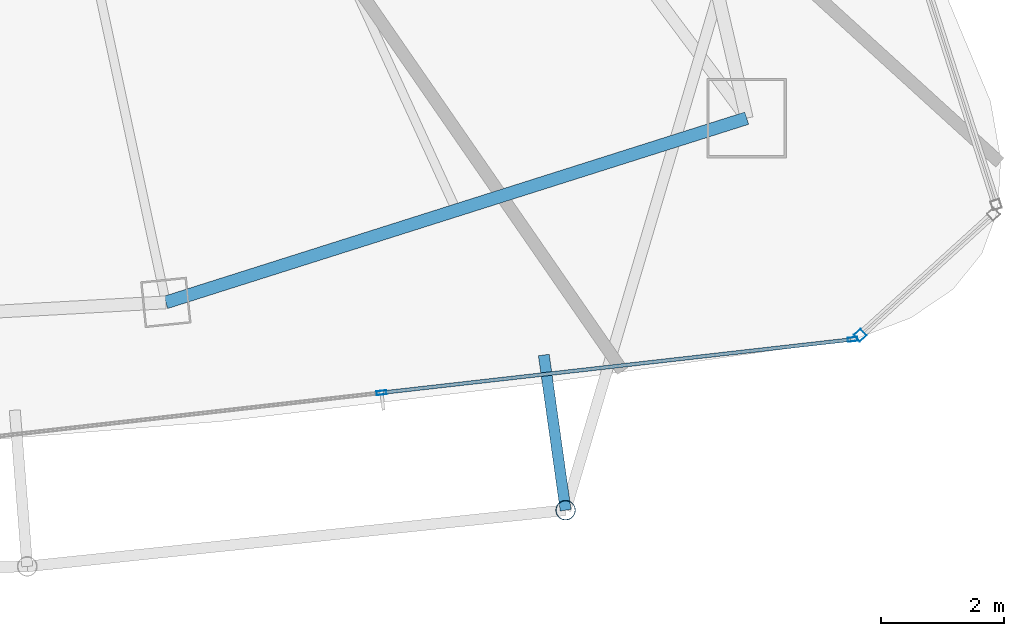
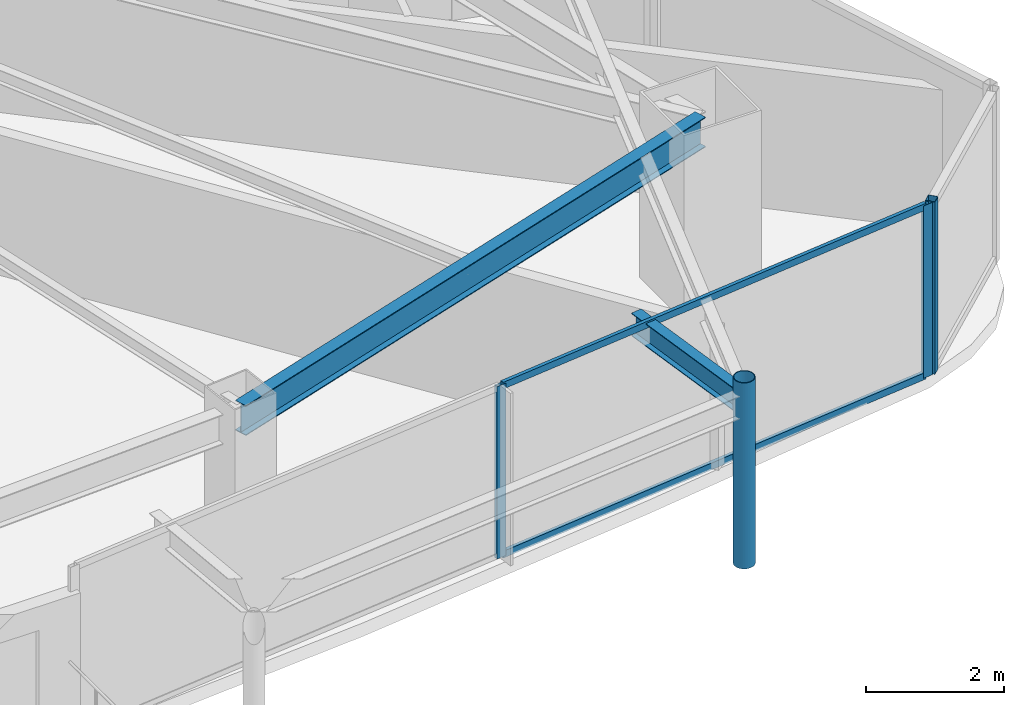
# One storey, part 14 of 30: 6 members, 2 beams, 2 elements without a shape of their own.
"""IFC4 building model written with IfcOpenShell, lengths in metres."""

import ifcopenshell
import ifcopenshell.guid

model = None  # the IFC model being written
_history = None  # IfcOwnerHistory: only IFC2X3 demands one
_inside = {}  # id of a spatial element -> (the spatial element, [elements in it])
_under = {}  # id of a project, library or spatial element -> (it, [spatial elements below it])
_declared = {}  # id of a project -> (the project, [libraries it declares])
_typed = {}  # id of a type object -> (the type object, [elements of that type])
_made_of = {}  # id of a material, layer set ... -> (it, [elements and type objects made of it])


def new_model(schema):
    """Start an empty IFC model of exactly this schema.

    Asked for "IFC4X3", IfcOpenShell would pick the latest addendum, in which some entities
    have other attributes; the version numbers below select the first issue.
    IFC2X3 requires an IfcOwnerHistory on every rooted entity: one is made here for all.
    """
    global model, _history
    if schema == "IFC4X3":
        model = ifcopenshell.file(schema_version=(4, 3, 0, 0))
    else:
        model = ifcopenshell.file(schema=schema)
    _inside.clear()
    _under.clear()
    _declared.clear()
    _typed.clear()
    _made_of.clear()
    _history = None
    if model.schema == "IFC2X3":
        org = make("IfcOrganization", Name="unknown")
        user = make(
            "IfcPersonAndOrganization",
            ThePerson=make("IfcPerson", FamilyName="unknown"),
            TheOrganization=org,
        )
        app = make(
            "IfcApplication",
            ApplicationDeveloper=org,
            Version="unknown",
            ApplicationFullName="unknown",
            ApplicationIdentifier="unknown",
        )
        _history = make(
            "IfcOwnerHistory",
            OwningUser=user,
            OwningApplication=app,
            ChangeAction="ADDED",
            CreationDate=0,
        )
    return model


def make(cls, **values):
    """One entity of the class cls with the attributes given. An attribute that is None is left unset."""
    return model.create_entity(
        cls, **{name: value for name, value in values.items() if value is not None}
    )


def rooted(cls, **values):
    """An entity with a GlobalId (a new one), such as an element, a storey or a relation."""
    return make(cls, GlobalId=ifcopenshell.guid.new(), OwnerHistory=_history, **values)


def si_unit(unit_type, name, prefix=None):
    """IfcSIUnit, for example si_unit("LENGTHUNIT", "METRE", prefix="MILLI")."""
    return make("IfcSIUnit", UnitType=unit_type, Prefix=prefix, Name=name)


def assignment(units):
    """IfcUnitAssignment: the units of a project."""
    return None if units is None else make("IfcUnitAssignment", Units=units)


def point(xyz):
    """IfcCartesianPoint."""
    return None if xyz is None else make("IfcCartesianPoint", Coordinates=xyz)


def direction(xyz):
    """IfcDirection."""
    return None if xyz is None else make("IfcDirection", DirectionRatios=xyz)


def frame(location, z_axis=None, x_axis=None):
    """IfcAxis2Placement3D, a coordinate frame: its origin and axes. An axis left out is left unset."""
    return make(
        "IfcAxis2Placement3D",
        Location=point(location),
        Axis=direction(z_axis),
        RefDirection=direction(x_axis),
    )


def frame_2d(location, x_axis=None):
    """IfcAxis2Placement2D, a coordinate frame in the plane: its origin and x axis."""
    return make(
        "IfcAxis2Placement2D", Location=point(location), RefDirection=direction(x_axis)
    )


def origin():
    """The frame at (0, 0, 0) with its axes left unset."""
    return frame((0.0, 0.0, 0.0))


def origin_2d():
    """The frame at (0, 0) in the plane with its x axis left unset."""
    return frame_2d((0.0, 0.0))


def place(relative_to, where):
    """IfcLocalPlacement: puts the frame where relative to a parent placement (None: the world)."""
    return make(
        "IfcLocalPlacement", PlacementRelTo=relative_to, RelativePlacement=where
    )


def context(
    kind, dimensions, precision=None, world=None, true_north=None, identifier=None
):
    """IfcGeometricRepresentationContext, for example the 3D "Model" context."""
    return make(
        "IfcGeometricRepresentationContext",
        ContextIdentifier=identifier,
        ContextType=kind,
        CoordinateSpaceDimension=dimensions,
        Precision=precision,
        WorldCoordinateSystem=world,
        TrueNorth=true_north,
    )


def subcontext(parent, identifier, kind, view, scale=None):
    """IfcGeometricRepresentationSubContext, for example "Body" below "Model"."""
    return make(
        "IfcGeometricRepresentationSubContext",
        ContextIdentifier=identifier,
        ContextType=kind,
        ParentContext=parent,
        TargetScale=scale,
        TargetView=view,
    )


def project(units=None, contexts=None):
    """IfcProject with its units and contexts."""
    return rooted(
        "IfcProject",
        Name="project",
        RepresentationContexts=contexts,
        UnitsInContext=assignment(units),
    )


def spatial(cls, under=None, at=None, **own):
    """A site, building, storey or space (cls), placed at a placement, below another one or the project."""
    s = rooted(cls, ObjectPlacement=at, **own)
    if under is not None:
        _under.setdefault(under.id(), (under, []))[1].append(s)
    return s


def profile(cls, at=None, kind="AREA", **sizes):
    """A parametric profile (cls). Its sizes go by their IFC names, for example OverallWidth=200.0."""
    return make(cls, ProfileType=kind, Position=at, **sizes)


def hollow_rectangle(**sizes):
    """IfcRectangleHollowProfileDef."""
    return profile("IfcRectangleHollowProfileDef", **sizes)


def hollow_circle(**sizes):
    """IfcCircleHollowProfileDef."""
    return profile("IfcCircleHollowProfileDef", **sizes)


def i_section(**sizes):
    """IfcIShapeProfileDef."""
    return profile("IfcIShapeProfileDef", **sizes)


def extrude(swept, where, along, depth):
    """IfcExtrudedAreaSolid: the profile swept, set in the frame where, extruded along a direction by depth."""
    return make(
        "IfcExtrudedAreaSolid",
        SweptArea=swept,
        Position=where,
        ExtrudedDirection=direction(along),
        Depth=depth,
    )


def shape(context_of_items, identifier, shape_type, items):
    """IfcShapeRepresentation: the items that make up one representation, for example the "Body"."""
    return make(
        "IfcShapeRepresentation",
        ContextOfItems=context_of_items,
        RepresentationIdentifier=identifier,
        RepresentationType=shape_type,
        Items=items,
    )


def material(Name=None, Category=None):
    """IfcMaterial."""
    return make("IfcMaterial", Name=Name, Category=Category)


def layer(
    of_material, thickness, ventilated=None, Name=None, Category=None, Priority=None
):
    """IfcMaterialLayer: one layer of a wall or slab, of a material (None: an air gap)."""
    return make(
        "IfcMaterialLayer",
        Material=of_material,
        LayerThickness=thickness,
        IsVentilated=ventilated,
        Name=Name,
        Category=Category,
        Priority=Priority,
    )


def layer_set(layers, Name=None):
    """IfcMaterialLayerSet."""
    return make("IfcMaterialLayerSet", MaterialLayers=layers, LayerSetName=Name)


def material_profile(
    of_material, cross_section, Name=None, Category=None, Priority=None
):
    """IfcMaterialProfile: a cross section and its material."""
    return make(
        "IfcMaterialProfile",
        Name=Name,
        Material=of_material,
        Profile=cross_section,
        Priority=Priority,
        Category=Category,
    )


def profile_set(profiles, Name=None, composite=None):
    """IfcMaterialProfileSet."""
    return make(
        "IfcMaterialProfileSet",
        Name=Name,
        MaterialProfiles=profiles,
        CompositeProfile=composite,
    )


def made_of(thing, what):
    """Note that an element or type object is made of a material, layer set ...; save() writes the relation."""
    if what is not None:
        _made_of.setdefault(what.id(), (what, []))[1].append(thing)
    return thing


def type_object(cls, material=None, **own):
    """A type object (cls), such as IfcWallType, which elements share."""
    return made_of(rooted(cls, **own), material)


def element(
    cls,
    number,
    at=None,
    inside=None,
    cuts=None,
    type_object=None,
    material=None,
    context=None,
    identifier="Body",
    shape_type=None,
    held_by="IfcProductDefinitionShape",
    body=None,
    shapes=None,
    **own,
):
    """One element of the class cls, such as IfcWall. Its Tag is "e" and its number.

    at: its placement. inside: the storey or other place that contains it. cuts: it is an
    opening in that element (IfcRelVoidsElement). A single representation is given by context,
    identifier, shape_type and body (its items); several are given by shapes. held_by: the class
    of the entity that holds the representations. save() writes the other relations.
    """
    e = rooted(cls, Tag="e%d" % number, ObjectPlacement=at, **own)
    if body is not None:
        shapes = [shape(context, identifier, shape_type, body)]
    if shapes is not None:
        e.Representation = make(held_by, Representations=shapes)
    if inside is not None:
        _inside.setdefault(inside.id(), (inside, []))[1].append(e)
    if cuts is not None:
        rooted(
            "IfcRelVoidsElement", RelatingBuildingElement=cuts, RelatedOpeningElement=e
        )
    if type_object is not None:
        _typed.setdefault(type_object.id(), (type_object, []))[1].append(e)
    return made_of(e, material)


def aggregate(whole, parts):
    """IfcRelAggregates: a whole, such as a stair, and the parts it consists of."""
    return rooted("IfcRelAggregates", RelatingObject=whole, RelatedObjects=parts)


def save(model, path):
    """Write the relations noted so far, then the file.

    IfcRelAggregates (storeys below a building ...), IfcRelContainedInSpatialStructure (elements
    in a storey), IfcRelDefinesByType, IfcRelAssociatesMaterial and IfcRelDeclares: one each for
    every whole, place, type object, material and project.
    """
    for whole, parts in _under.values():
        aggregate(whole, parts)
    for where, things in _inside.values():
        rooted(
            "IfcRelContainedInSpatialStructure",
            RelatedElements=things,
            RelatingStructure=where,
        )
    for kind, things in _typed.values():
        rooted("IfcRelDefinesByType", RelatedObjects=things, RelatingType=kind)
    for what, things in _made_of.values():
        rooted("IfcRelAssociatesMaterial", RelatedObjects=things, RelatingMaterial=what)
    for by, libraries in _declared.values():
        rooted("IfcRelDeclares", RelatingContext=by, RelatedDefinitions=libraries)
    model.write(path)


model = new_model("IFC4")

# Units and contexts
model_context = context("Model", 3, precision=1e-05, world=origin(), true_north=direction((0.0, 1.0)))
body_context = subcontext(model_context, "Body", "Model", "MODEL_VIEW")
ifc_project = project(units=[si_unit("LENGTHUNIT", "METRE"), si_unit("AREAUNIT", "SQUARE_METRE"), si_unit("VOLUMEUNIT", "CUBIC_METRE"), si_unit("PLANEANGLEUNIT", "RADIAN"), si_unit("MASSUNIT", "GRAM", prefix="KILO")], contexts=[model_context])

# Site, building, storey
site_placement = place(None, origin())
site = spatial("IfcSite", under=ifc_project, at=site_placement, CompositionType="ELEMENT")
building_placement = place(site_placement, origin())
building = spatial("IfcBuilding", under=site, at=building_placement, Name="Orvanel Arch Residences", CompositionType="ELEMENT")
storey_placement = place(building_placement, frame((0.0, 0.0, 226.10009765625)))
storey = spatial("IfcBuildingStorey", under=building, at=storey_placement, Name="L64", CompositionType="ELEMENT", Elevation=226.10009765625)

# Curtain wall, member
ifc_material_1 = material(Name="Bronze-anodised aluminium AA6063-T6", Category="aluminium")
ifc_layer_1 = layer(ifc_material_1, 0.18994140625)
ifc_layer_set_1 = layer_set([ifc_layer_1], Name="Bronze-anodised aluminium AA6063-T6")
curtain_wall_type_1 = type_object("IfcCurtainWallType", Name="CW5-CRN-SYS", PredefinedType="NOTDEFINED", material=ifc_layer_set_1)
curtain_wall_1_placement = place(storey_placement, origin())
curtain_wall_1 = element("IfcCurtainWall", 1, at=curtain_wall_1_placement, inside=storey, type_object=curtain_wall_type_1, Name="L64 CW5-CRN-SYS Unitised Curtain Wall", PredefinedType="NOTDEFINED")
ifc_material_profile_1 = material_profile(ifc_material_1, hollow_rectangle(XDim=0.14990234375, YDim=0.14990234375, WallThickness=0.0048828125, at=origin_2d()), Name="ALU150x150x5")
ifc_profile_set_1 = profile_set([ifc_material_profile_1], Name="Bronze-anodised aluminium AA6063-T6")
member_type_1 = type_object("IfcMemberType", Name="MUL-150x150", PredefinedType="MULLION", material=ifc_profile_set_1)
member_1_placement = place(storey_placement, frame((53.6474609375, 6.822509765625, 0.0), z_axis=(0.0, 0.0, 1.0), x_axis=(-0.672365707037, 0.740219127016, 0.0)))
member_1 = element("IfcMember", 2, at=member_1_placement, type_object=member_type_1, Name="CW-S5 mullion 1", PredefinedType="MULLION", context=body_context, shape_type="SweptSolid", body=[
    extrude(hollow_rectangle(XDim=0.14990234375, YDim=0.14990234375, WallThickness=0.0048828125, at=origin_2d()), origin(), (0.0, 0.0, 1.0), 3.059814453125),
])
aggregate(curtain_wall_1, [member_1])

# Curtain wall, members
ifc_layer_2 = layer(ifc_material_1, 0.175048828125)
ifc_layer_set_2 = layer_set([ifc_layer_2], Name="Bronze-anodised aluminium AA6063-T6")
curtain_wall_type_2 = type_object("IfcCurtainWallType", Name="CW4-HI-SYS", PredefinedType="NOTDEFINED", material=ifc_layer_set_2)
curtain_wall_2_placement = place(storey_placement, origin())
curtain_wall_2 = element("IfcCurtainWall", 3, at=curtain_wall_2_placement, inside=storey, type_object=curtain_wall_type_2, Name="L64 CW4-HI-SYS Unitised Curtain Wall", PredefinedType="NOTDEFINED")
ifc_material_profile_2 = material_profile(ifc_material_1, hollow_rectangle(XDim=0.06494140625, YDim=0.159912109375, WallThickness=0.00390625, at=origin_2d()), Name="ALU160x65x4")
ifc_profile_set_2 = profile_set([ifc_material_profile_2], Name="Bronze-anodised aluminium AA6063-T6")
member_type_2 = type_object("IfcMemberType", Name="MUL-160x65", PredefinedType="MULLION", material=ifc_profile_set_2)
member_2_placement = place(storey_placement, frame((45.860595703125, 5.885009765625, 0.0), z_axis=(0.0, 0.0, 1.0), x_axis=(-0.112578003012, 0.993642890196, 0.0)))
member_2 = element("IfcMember", 4, at=member_2_placement, type_object=member_type_2, Name="CW-S4 mullion 2", PredefinedType="MULLION", context=body_context, shape_type="SweptSolid", body=[
    extrude(hollow_rectangle(XDim=0.06494140625, YDim=0.159912109375, WallThickness=0.00390625, at=origin_2d()), origin(), (0.0, 0.0, 1.0), 3.059814453125),
])
member_3_placement = place(storey_placement, frame((53.524658203125, 6.75341796875, 0.0), z_axis=(0.0, 0.0, 1.0), x_axis=(-0.112578003012, 0.993642890196, 0.0)))
member_3 = element("IfcMember", 5, at=member_3_placement, type_object=member_type_2, Name="CW-S4 mullion 3", PredefinedType="MULLION", context=body_context, shape_type="SweptSolid", body=[
    extrude(hollow_rectangle(XDim=0.06494140625, YDim=0.159912109375, WallThickness=0.00390625, at=origin_2d()), origin(), (0.0, 0.0, 1.0), 3.059814453125),
])

# Beams
ifc_material_2 = material(Name="Structural steel AS/NZS 3679.1 Grade 300 (300 MPa)", Category="steel")
ifc_material_profile_3 = material_profile(ifc_material_2, i_section(OverallWidth=0.177978515625, OverallDepth=0.406005859375, WebThickness=0.0078125, FlangeThickness=0.0126953125, at=origin_2d()), Name="410UB59.7")
ifc_profile_set_3 = profile_set([ifc_material_profile_3], Name="Structural steel AS/NZS 3679.1 Grade 300 (300 MPa)")
beam_type_1 = type_object("IfcBeamType", Name="OB-410UB-EXT", PredefinedType="SPANDREL", material=ifc_profile_set_3)
beam_1_placement = place(storey_placement, frame((48.5, 6.4990234375, 2.85693359375), z_axis=(0.139222555053, -0.990261117163, 0.0), x_axis=(0.990261117163, 0.139222555053, 0.0)))
element("IfcBeam", 6, at=beam_1_placement, inside=storey, type_object=beam_type_1, Name="L64 Outer Frame Radial Tie Beam 08", PredefinedType="SPANDREL", context=body_context, shape_type="SweptSolid", body=[
    extrude(i_section(OverallWidth=0.177978515625, OverallDepth=0.406005859375, WebThickness=0.0078125, FlangeThickness=0.0126953125, at=origin_2d()), origin(), (0.0, 0.0, 1.0), 2.5498046875),
])
ifc_material_profile_4 = material_profile(ifc_material_2, i_section(OverallWidth=0.208984375, OverallDepth=0.532958984375, WebThickness=0.01025390625, FlangeThickness=0.015625, at=origin_2d()), Name="530UB92.4")
ifc_profile_set_4 = profile_set([ifc_material_profile_4], Name="Structural steel AS/NZS 3679.1 Grade 300 (300 MPa)")
beam_type_2 = type_object("IfcBeamType", Name="SP-530UB", PredefinedType="SPANDREL", material=ifc_profile_set_4)
beam_2_placement = place(storey_placement, frame((42.35107421875, 7.35498046875, 2.79296875), z_axis=(0.953237386592, 0.302222574941, 0.0), x_axis=(-0.302222574941, 0.953237386592, 0.0)))
element("IfcBeam", 7, at=beam_2_placement, inside=storey, type_object=beam_type_2, Name="L64 Perimeter Spandrel Beam 05", PredefinedType="SPANDREL", context=body_context, shape_type="SweptSolid", body=[
    extrude(i_section(OverallWidth=0.208984375, OverallDepth=0.532958984375, WebThickness=0.01025390625, FlangeThickness=0.015625, at=origin_2d()), origin(), (0.0, 0.0, 1.0), 9.91357421875),
])

# Member
ifc_material_3 = material(Name="Structural steel AS/NZS 1163 C350L0 (Grade 350)", Category="steel")
ifc_material_profile_5 = material_profile(ifc_material_3, hollow_circle(Radius=0.162109375, WallThickness=0.0126953125, at=origin_2d()), Name="CHS324x12.7")
ifc_profile_set_5 = profile_set([ifc_material_profile_5], Name="Structural steel AS/NZS 1163 C350L0 (Grade 350)")
member_type_3 = type_object("IfcMemberType", Name="ST-324CHS-EXT", PredefinedType="STRUT", material=ifc_profile_set_5)
member_4_placement = place(storey_placement, frame((48.85498046875, 3.97412109375, 0.0), z_axis=(0.0, 0.0, 1.0), x_axis=(1.0, 0.0, 0.0)))
element("IfcMember", 8, at=member_4_placement, inside=storey, type_object=member_type_3, Name="L64 Outer Perimeter Frame Post 08", PredefinedType="STRUT", context=body_context, shape_type="SweptSolid", body=[
    extrude(hollow_circle(Radius=0.162109375, WallThickness=0.0126953125, at=origin_2d()), origin(), (0.0, 0.0, 1.0), 3.2998046875),
])

ifc_material_profile_6 = material_profile(ifc_material_1, hollow_rectangle(XDim=0.06005859375, YDim=0.1201171875, WallThickness=0.00341796875, at=origin_2d()), Name="ALU120x60x3.5")
ifc_profile_set_6 = profile_set([ifc_material_profile_6], Name="Bronze-anodised aluminium AA6063-T6")
member_type_4 = type_object("IfcMemberType", Name="TRN-120x60", PredefinedType="USERDEFINED", material=ifc_profile_set_6)
member_5_placement = place(storey_placement, frame((45.892822265625, 5.888671875, 0.02978515625), z_axis=(0.993641990336, 0.112585945127, 0.0), x_axis=(-0.112585945127, 0.993641990336, 0.0)))
member_5 = element("IfcMember", 9, at=member_5_placement, type_object=member_type_4, Name="CW-S4 transom 2.1", ObjectType="TRANSOM", PredefinedType="USERDEFINED", context=body_context, shape_type="SweptSolid", body=[
    extrude(hollow_rectangle(XDim=0.06005859375, YDim=0.1201171875, WallThickness=0.00341796875, at=origin_2d()), origin(), (0.0, 0.0, 1.0), 7.648193359375),
])

member_6_placement = place(storey_placement, frame((45.892822265625, 5.888671875, 3.02978515625), z_axis=(0.993641990336, 0.112585945127, 0.0), x_axis=(-0.112585945127, 0.993641990336, 0.0)))
member_6 = element("IfcMember", 10, at=member_6_placement, type_object=member_type_4, Name="CW-S4 transom 2.2", ObjectType="TRANSOM", PredefinedType="USERDEFINED", context=body_context, shape_type="SweptSolid", body=[
    extrude(hollow_rectangle(XDim=0.06005859375, YDim=0.1201171875, WallThickness=0.00341796875, at=origin_2d()), origin(), (0.0, 0.0, 1.0), 7.648193359375),
])

aggregate(curtain_wall_2, [member_2, member_3, member_5, member_6])

save(model, "model.ifc")
